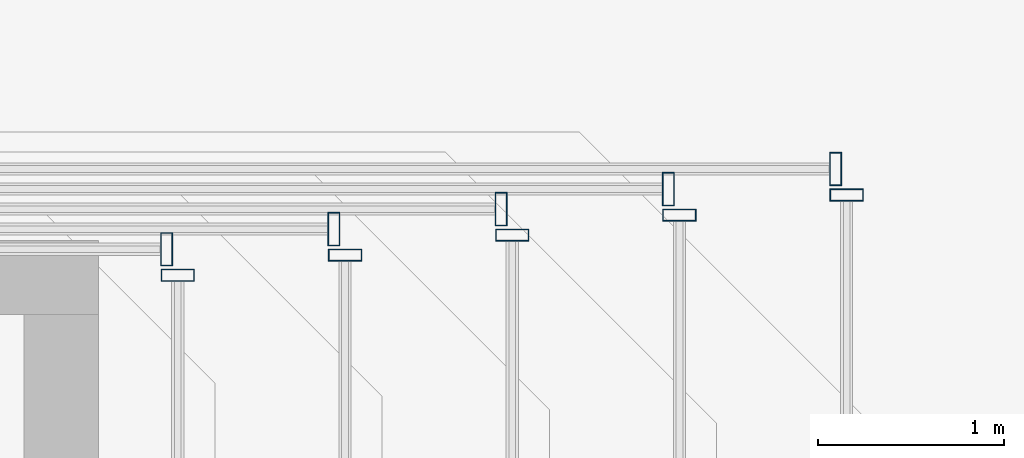
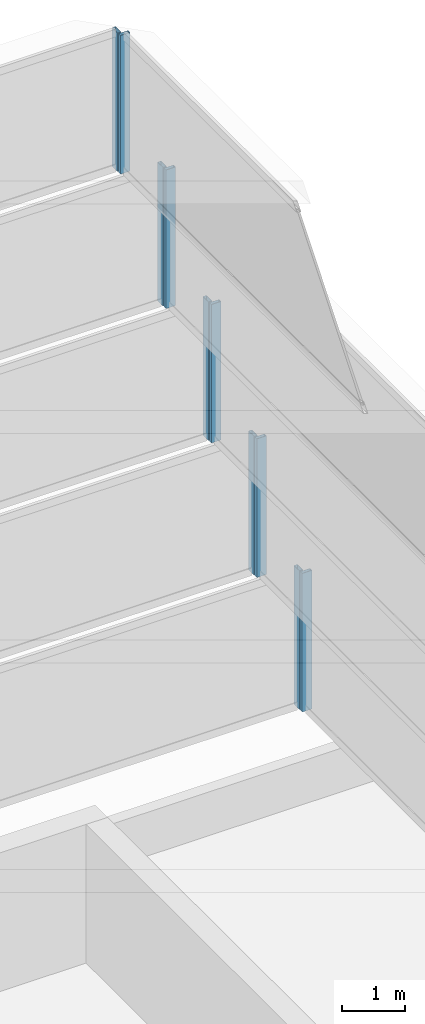
# One storey, part 26 of 29: 10 members, 10 elements without a shape of their own.
"""IFC4 building model written with IfcOpenShell, lengths in metres."""

from ifc_helpers import new_model, si_unit, direction, frame, origin, origin_2d, place, context, subcontext, project, spatial, hollow_rectangle, extrude, material, material_profile, profile_set, type_object, element, aggregate, save


model = new_model("IFC4")

# Units and contexts
model_context = context("Model", 3, precision=1e-05, world=origin(), true_north=direction((0.0, 1.0)))
body_context = subcontext(model_context, "Body", "Model", "MODEL_VIEW")
ifc_project = project(units=[si_unit("LENGTHUNIT", "METRE"), si_unit("AREAUNIT", "SQUARE_METRE"), si_unit("VOLUMEUNIT", "CUBIC_METRE"), si_unit("PLANEANGLEUNIT", "RADIAN"), si_unit("MASSUNIT", "GRAM", prefix="KILO")], contexts=[model_context])

# Site, building, storey
site_placement = place(None, origin())
site = spatial("IfcSite", under=ifc_project, at=site_placement, CompositionType="ELEMENT")
building_placement = place(site_placement, origin())
building = spatial("IfcBuilding", under=site, at=building_placement, Name="Saevonmaru Cultural Tower", CompositionType="ELEMENT")
storey_placement = place(building_placement, frame((0.0, 0.0, 327.60009765625)))
storey = spatial("IfcBuildingStorey", under=building, at=storey_placement, Name="RF", CompositionType="ELEMENT", Elevation=327.60009765625)

# Curtain wall, member
ifc_material = material(Name="Satin Bronze Anodised Aluminium", Category="aluminium")
curtain_wall_type = type_object("IfcCurtainWallType", Name="CW-TYP-B", PredefinedType="NOTDEFINED", material=ifc_material)
curtain_wall_1_placement = place(storey_placement, origin())
curtain_wall_1 = element("IfcCurtainWall", 1, at=curtain_wall_1_placement, inside=storey, type_object=curtain_wall_type, Name="RF Ziggurat Crown Tier 2 Bronze Louvre Screen 2", PredefinedType="NOTDEFINED")
ifc_material_profile = material_profile(ifc_material, hollow_rectangle(XDim=0.06494140625, YDim=0.179931640625, WallThickness=0.00390625, at=origin_2d()), Name="ALU-MULL-180x65x4")
ifc_profile_set = profile_set([ifc_material_profile], Name="Satin Bronze Anodised Aluminium")
member_type = type_object("IfcMemberType", Name="ML-CW-180x65", PredefinedType="MULLION", material=ifc_profile_set)
member_1_placement = place(storey_placement, frame((50.22705078125, 54.444091796875, 3.0), z_axis=(0.0, 0.0, 1.0), x_axis=(0.0, 1.0, 0.0)))
member_1 = element("IfcMember", 2, at=member_1_placement, type_object=member_type, Name="CW-CROWN-T2-2 mullion 2", PredefinedType="MULLION", context=body_context, shape_type="SweptSolid", body=[
    extrude(hollow_rectangle(XDim=0.06494140625, YDim=0.179931640625, WallThickness=0.00390625, at=origin_2d()), origin(), (0.0, 0.0, 1.0), 2.699951171875),
])
aggregate(curtain_wall_1, [member_1])

curtain_wall_2_placement = place(storey_placement, origin())
curtain_wall_2 = element("IfcCurtainWall", 3, at=curtain_wall_2_placement, inside=storey, type_object=curtain_wall_type, Name="RF Ziggurat Crown Tier 2 Bronze Louvre Screen 3", PredefinedType="NOTDEFINED")
member_2_placement = place(storey_placement, frame((50.1669921875, 54.583984375, 3.0), z_axis=(0.0, 0.0, 1.0), x_axis=(-1.0, 0.0, 0.0)))
member_2 = element("IfcMember", 4, at=member_2_placement, type_object=member_type, Name="CW-CROWN-T2-3 mullion 1", PredefinedType="MULLION", context=body_context, shape_type="SweptSolid", body=[
    extrude(hollow_rectangle(XDim=0.06494140625, YDim=0.179931640625, WallThickness=0.00390625, at=origin_2d()), origin(), (0.0, 0.0, 1.0), 2.699951171875),
])
aggregate(curtain_wall_2, [member_2])

curtain_wall_3_placement = place(storey_placement, origin())
curtain_wall_3 = element("IfcCurtainWall", 5, at=curtain_wall_3_placement, inside=storey, type_object=curtain_wall_type, Name="RF Ziggurat Crown Tier 3 Bronze Louvre Screen 2", PredefinedType="NOTDEFINED")
member_3_placement = place(storey_placement, frame((49.326904296875, 54.3359375, 6.0), z_axis=(0.0, 0.0, 1.0), x_axis=(0.0, 1.0, 0.0)))
member_3 = element("IfcMember", 6, at=member_3_placement, type_object=member_type, Name="CW-CROWN-T3-2 mullion 2", PredefinedType="MULLION", context=body_context, shape_type="SweptSolid", body=[
    extrude(hollow_rectangle(XDim=0.06494140625, YDim=0.179931640625, WallThickness=0.00390625, at=origin_2d()), origin(), (0.0, 0.0, 1.0), 2.699951171875),
])
aggregate(curtain_wall_3, [member_3])

curtain_wall_4_placement = place(storey_placement, origin())
curtain_wall_4 = element("IfcCurtainWall", 7, at=curtain_wall_4_placement, inside=storey, type_object=curtain_wall_type, Name="RF Ziggurat Crown Tier 3 Bronze Louvre Screen 3", PredefinedType="NOTDEFINED")
member_4_placement = place(storey_placement, frame((49.26708984375, 54.47607421875, 6.0), z_axis=(0.0, 0.0, 1.0), x_axis=(-1.0, 0.0, 0.0)))
member_4 = element("IfcMember", 8, at=member_4_placement, type_object=member_type, Name="CW-CROWN-T3-3 mullion 1", PredefinedType="MULLION", context=body_context, shape_type="SweptSolid", body=[
    extrude(hollow_rectangle(XDim=0.06494140625, YDim=0.179931640625, WallThickness=0.00390625, at=origin_2d()), origin(), (0.0, 0.0, 1.0), 2.699951171875),
])
aggregate(curtain_wall_4, [member_4])

curtain_wall_5_placement = place(storey_placement, origin())
curtain_wall_5 = element("IfcCurtainWall", 9, at=curtain_wall_5_placement, inside=storey, type_object=curtain_wall_type, Name="RF Ziggurat Crown Tier 4 Bronze Louvre Screen 2", PredefinedType="NOTDEFINED")
member_5_placement = place(storey_placement, frame((48.427001953125, 54.22802734375, 9.0), z_axis=(0.0, 0.0, 1.0), x_axis=(0.0, 1.0, 0.0)))
member_5 = element("IfcMember", 10, at=member_5_placement, type_object=member_type, Name="CW-CROWN-T4-2 mullion 2", PredefinedType="MULLION", context=body_context, shape_type="SweptSolid", body=[
    extrude(hollow_rectangle(XDim=0.06494140625, YDim=0.179931640625, WallThickness=0.00390625, at=origin_2d()), origin(), (0.0, 0.0, 1.0), 2.699951171875),
])
aggregate(curtain_wall_5, [member_5])

curtain_wall_6_placement = place(storey_placement, origin())
curtain_wall_6 = element("IfcCurtainWall", 11, at=curtain_wall_6_placement, inside=storey, type_object=curtain_wall_type, Name="RF Ziggurat Crown Tier 4 Bronze Louvre Screen 3", PredefinedType="NOTDEFINED")
member_6_placement = place(storey_placement, frame((48.366943359375, 54.367919921875, 9.0), z_axis=(0.0, 0.0, 1.0), x_axis=(-1.0, 0.0, 0.0)))
member_6 = element("IfcMember", 12, at=member_6_placement, type_object=member_type, Name="CW-CROWN-T4-3 mullion 1", PredefinedType="MULLION", context=body_context, shape_type="SweptSolid", body=[
    extrude(hollow_rectangle(XDim=0.06494140625, YDim=0.179931640625, WallThickness=0.00390625, at=origin_2d()), origin(), (0.0, 0.0, 1.0), 2.699951171875),
])
aggregate(curtain_wall_6, [member_6])

curtain_wall_7_placement = place(storey_placement, origin())
curtain_wall_7 = element("IfcCurtainWall", 13, at=curtain_wall_7_placement, inside=storey, type_object=curtain_wall_type, Name="RF Ziggurat Crown Tier 5 Bronze Louvre Screen 2", PredefinedType="NOTDEFINED")
member_7_placement = place(storey_placement, frame((47.527099609375, 54.1201171875, 12.0), z_axis=(0.0, 0.0, 1.0), x_axis=(0.0, 1.0, 0.0)))
member_7 = element("IfcMember", 14, at=member_7_placement, type_object=member_type, Name="CW-CROWN-T5-2 mullion 2", PredefinedType="MULLION", context=body_context, shape_type="SweptSolid", body=[
    extrude(hollow_rectangle(XDim=0.06494140625, YDim=0.179931640625, WallThickness=0.00390625, at=origin_2d()), origin(), (0.0, 0.0, 1.0), 2.699951171875),
])
aggregate(curtain_wall_7, [member_7])

curtain_wall_8_placement = place(storey_placement, origin())
curtain_wall_8 = element("IfcCurtainWall", 15, at=curtain_wall_8_placement, inside=storey, type_object=curtain_wall_type, Name="RF Ziggurat Crown Tier 5 Bronze Louvre Screen 3", PredefinedType="NOTDEFINED")
member_8_placement = place(storey_placement, frame((47.467041015625, 54.260009765625, 12.0), z_axis=(0.0, 0.0, 1.0), x_axis=(-1.0, 0.0, 0.0)))
member_8 = element("IfcMember", 16, at=member_8_placement, type_object=member_type, Name="CW-CROWN-T5-3 mullion 1", PredefinedType="MULLION", context=body_context, shape_type="SweptSolid", body=[
    extrude(hollow_rectangle(XDim=0.06494140625, YDim=0.179931640625, WallThickness=0.00390625, at=origin_2d()), origin(), (0.0, 0.0, 1.0), 2.699951171875),
])
aggregate(curtain_wall_8, [member_8])

curtain_wall_9_placement = place(storey_placement, origin())
curtain_wall_9 = element("IfcCurtainWall", 17, at=curtain_wall_9_placement, inside=storey, type_object=curtain_wall_type, Name="RF Ziggurat Crown Tier 6 Bronze Louvre Screen 2", PredefinedType="NOTDEFINED")
member_9_placement = place(storey_placement, frame((46.626953125, 54.011962890625, 15.0), z_axis=(0.0, 0.0, 1.0), x_axis=(0.0, 1.0, 0.0)))
member_9 = element("IfcMember", 18, at=member_9_placement, type_object=member_type, Name="CW-CROWN-T6-2 mullion 2", PredefinedType="MULLION", context=body_context, shape_type="SweptSolid", body=[
    extrude(hollow_rectangle(XDim=0.06494140625, YDim=0.179931640625, WallThickness=0.00390625, at=origin_2d()), origin(), (0.0, 0.0, 1.0), 2.699951171875),
])
aggregate(curtain_wall_9, [member_9])

curtain_wall_10_placement = place(storey_placement, origin())
curtain_wall_10 = element("IfcCurtainWall", 19, at=curtain_wall_10_placement, inside=storey, type_object=curtain_wall_type, Name="RF Ziggurat Crown Tier 6 Bronze Louvre Screen 3", PredefinedType="NOTDEFINED")
member_10_placement = place(storey_placement, frame((46.56689453125, 54.152099609375, 15.0), z_axis=(0.0, 0.0, 1.0), x_axis=(-1.0, 0.0, 0.0)))
member_10 = element("IfcMember", 20, at=member_10_placement, type_object=member_type, Name="CW-CROWN-T6-3 mullion 1", PredefinedType="MULLION", context=body_context, shape_type="SweptSolid", body=[
    extrude(hollow_rectangle(XDim=0.06494140625, YDim=0.179931640625, WallThickness=0.00390625, at=origin_2d()), origin(), (0.0, 0.0, 1.0), 2.699951171875),
])
aggregate(curtain_wall_10, [member_10])

save(model, "model.ifc")
